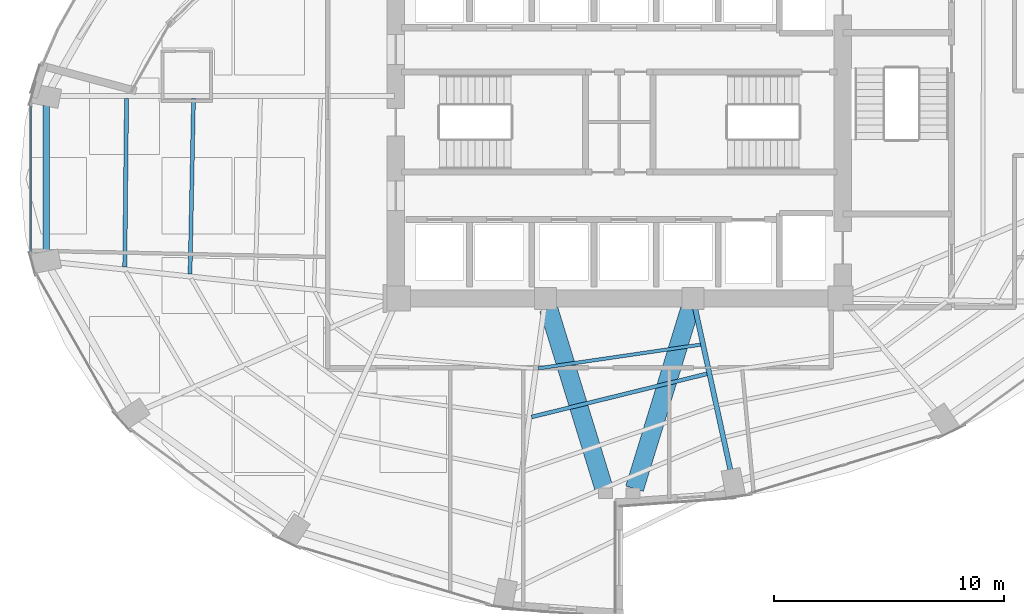
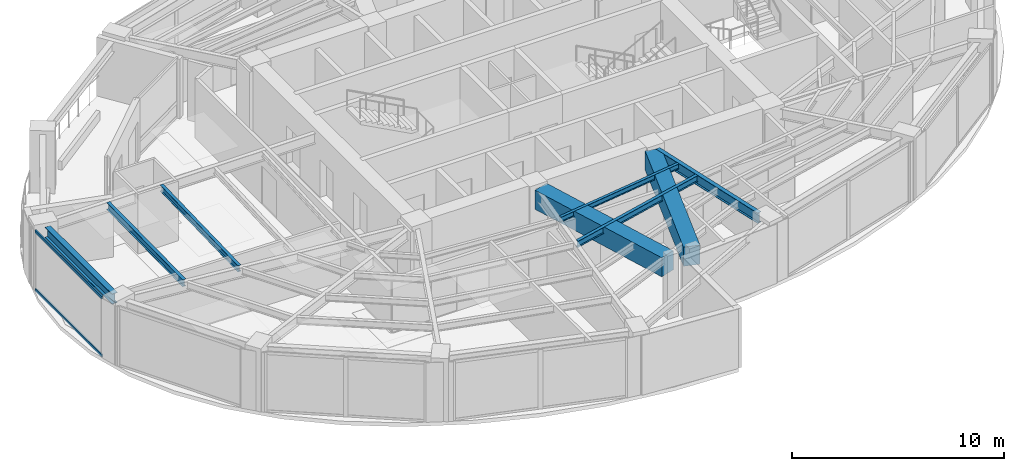
# One storey, part 7 of 24: 8 beams, 2 members, 1 element without a shape of its own.
"""IFC4 building model written with IfcOpenShell, lengths in metres."""

from ifc_helpers import new_model, si_unit, direction, frame, origin, origin_2d, place, context, subcontext, project, spatial, rectangle, hollow_rectangle, i_section, extrude, material, layer, layer_set, material_profile, profile_set, type_object, element, aggregate, save


model = new_model("IFC4")

# Units and contexts
model_context = context("Model", 3, precision=1e-05, world=origin(), true_north=direction((0.0, 1.0)))
body_context = subcontext(model_context, "Body", "Model", "MODEL_VIEW")
ifc_project = project(units=[si_unit("LENGTHUNIT", "METRE"), si_unit("AREAUNIT", "SQUARE_METRE"), si_unit("VOLUMEUNIT", "CUBIC_METRE"), si_unit("PLANEANGLEUNIT", "RADIAN"), si_unit("MASSUNIT", "GRAM", prefix="KILO")], contexts=[model_context])

# Site, building, storey
site_placement = place(None, origin())
site = spatial("IfcSite", under=ifc_project, at=site_placement, CompositionType="ELEMENT")
building_placement = place(site_placement, origin())
building = spatial("IfcBuilding", under=site, at=building_placement, Name="Lazwardi Medical Tower", CompositionType="ELEMENT")
storey_placement = place(building_placement, frame((0.0, 0.0, 110.927978515625)))
storey = spatial("IfcBuildingStorey", under=building, at=storey_placement, Name="L28", CompositionType="ELEMENT", Elevation=110.927978515625)

# Beams
ifc_material_1 = material(Name="Concrete C70/85", Category="concrete")
ifc_material_profile_1 = material_profile(ifc_material_1, rectangle(XDim=0.800048828125, YDim=1.10009765625, at=origin_2d()), Name="RC 800x1100")
ifc_profile_set_1 = profile_set([ifc_material_profile_1], Name="Concrete C70/85")
beam_type_1 = type_object("IfcBeamType", Name="BM-CB-RC1", PredefinedType="LINTEL", material=ifc_profile_set_1)
for number, where, z_axis, x_axis, name in (
    (1, (32.935302734375, 19.960205078125, 2.8779296875), (0.294073251002, -0.955782884888, 0.0), (0.955782884888, 0.294073251002, 0.0), "Core coupling lintel CB-01 PL3 L28"),
    (2, (39.064697265625, 19.960205078125, 2.8779296875), (-0.294073251002, -0.955782884888, 0.0), (0.955782884888, -0.294073251002, 0.0), "Core coupling lintel CB-01 PL4 L28"),
):
    element("IfcBeam", number, at=place(storey_placement, frame(where, z_axis=z_axis, x_axis=x_axis)), inside=storey, type_object=beam_type_1, Name=name, PredefinedType="LINTEL", context=body_context, shape_type="SweptSolid", body=[
        extrude(rectangle(XDim=0.800048828125, YDim=1.10009765625, at=origin_2d()), origin(), (0.0, 0.0, 1.0), 8.1708984375),
    ])
ifc_material_2 = material(Name="Steel S355", Category="steel")
ifc_material_profile_2 = material_profile(ifc_material_2, i_section(OverallWidth=0.300048828125, OverallDepth=0.60009765625, WebThickness=0.015380859375, FlangeThickness=0.030029296875, at=origin_2d()), Name="HEB 600")
ifc_profile_set_2 = profile_set([ifc_material_profile_2], Name="Steel S355")
beam_type_2 = type_object("IfcBeamType", Name="BM-RB-Z2", PredefinedType="BEAM", material=ifc_profile_set_2)
beam_1_placement = place(storey_placement, frame((11.13720703125, 28.77001953125, 3.1279296875), z_axis=(0.0, -1.0, 0.0), x_axis=(1.0, 0.0, 0.0)))
element("IfcBeam", 3, at=beam_1_placement, inside=storey, type_object=beam_type_2, Name="Ring beam RB-03 B12 L28", PredefinedType="BEAM", context=body_context, shape_type="SweptSolid", body=[
    extrude(i_section(OverallWidth=0.300048828125, OverallDepth=0.60009765625, WebThickness=0.015380859375, FlangeThickness=0.030029296875, at=origin_2d()), origin(), (0.0, 0.0, 1.0), 6.33984375),
])
ifc_material_profile_3 = material_profile(ifc_material_2, i_section(OverallWidth=0.219970703125, OverallDepth=0.60009765625, WebThickness=0.011962890625, FlangeThickness=0.01904296875, at=origin_2d()), Name="IPE 600")
ifc_profile_set_3 = profile_set([ifc_material_profile_3], Name="Steel S355")
beam_type_3 = type_object("IfcBeamType", Name="BM-RG-W1", PredefinedType="BEAM", material=ifc_profile_set_3)
beam_2_placement = place(storey_placement, frame((40.82177734375, 12.96923828125, 3.1279296875), z_axis=(-0.213228150441, 0.977002433907, 0.0), x_axis=(-0.977002433907, -0.213228150441, 0.0)))
element("IfcBeam", 4, at=beam_2_placement, inside=storey, type_object=beam_type_3, Name="Radial girder RG-02 R01 L28", PredefinedType="BEAM", context=body_context, shape_type="SweptSolid", body=[
    extrude(i_section(OverallWidth=0.219970703125, OverallDepth=0.60009765625, WebThickness=0.011962890625, FlangeThickness=0.01904296875, at=origin_2d()), origin(), (0.0, 0.0, 1.0), 7.145751953125),
])
ifc_material_profile_4 = material_profile(ifc_material_2, i_section(OverallWidth=0.179931640625, OverallDepth=0.39990234375, WebThickness=0.008544921875, FlangeThickness=0.013427734375, at=origin_2d()), Name="IPE 400")
ifc_profile_set_4 = profile_set([ifc_material_profile_4], Name="Steel S355")
beam_type_4 = type_object("IfcBeamType", Name="BM-SJ-01", PredefinedType="JOIST", material=ifc_profile_set_4)
beam_3_placement = place(storey_placement, frame((14.62255859375, 29.074951171875, 3.22802734375), z_axis=(-0.010484264128, -0.999945038592, 0.0), x_axis=(0.999945038592, -0.010484264128, 0.0)))
element("IfcBeam", 5, at=beam_3_placement, inside=storey, type_object=beam_type_4, Name="Secondary joist SJ-01 R1 B12 L28", PredefinedType="JOIST", context=body_context, shape_type="SweptSolid", body=[
    extrude(i_section(OverallWidth=0.179931640625, OverallDepth=0.39990234375, WebThickness=0.008544921875, FlangeThickness=0.013427734375, at=origin_2d()), origin(), (0.0, 0.0, 1.0), 7.31201171875),
])
ifc_material_profile_5 = material_profile(ifc_material_2, i_section(OverallWidth=0.169921875, OverallDepth=0.360107421875, WebThickness=0.008056640625, FlangeThickness=0.0126953125, at=origin_2d()), Name="IPE 360")
ifc_profile_set_5 = profile_set([ifc_material_profile_5], Name="Steel S355")
beam_type_5 = type_object("IfcBeamType", Name="BM-SJ-02", PredefinedType="JOIST", material=ifc_profile_set_5)
beam_4_placement = place(storey_placement, frame((17.5283203125, 29.074951171875, 3.248046875), z_axis=(-0.019785086948, -0.999804256009, 0.0), x_axis=(0.999804256009, -0.019785086948, 0.0)))
element("IfcBeam", 6, at=beam_4_placement, inside=storey, type_object=beam_type_5, Name="Secondary joist SJ-02 R2 B12 L28", PredefinedType="JOIST", context=body_context, shape_type="SweptSolid", body=[
    extrude(i_section(OverallWidth=0.169921875, OverallDepth=0.360107421875, WebThickness=0.008056640625, FlangeThickness=0.0126953125, at=origin_2d()), origin(), (0.0, 0.0, 1.0), 7.613525390625),
])
beam_5_placement = place(storey_placement, frame((32.19775390625, 15.262451171875, 3.248046875), z_axis=(0.97107737879, 0.238764998276, 0.0), x_axis=(-0.238764998276, 0.97107737879, 0.0)))
element("IfcBeam", 7, at=beam_5_placement, inside=storey, type_object=beam_type_5, Name="Secondary joist SJ-02 R3 B16 L28", PredefinedType="JOIST", context=body_context, shape_type="SweptSolid", body=[
    extrude(i_section(OverallWidth=0.169921875, OverallDepth=0.360107421875, WebThickness=0.008056640625, FlangeThickness=0.0126953125, at=origin_2d()), origin(), (0.0, 0.0, 1.0), 7.83447265625),
])
ifc_material_profile_6 = material_profile(ifc_material_2, i_section(OverallWidth=0.14990234375, OverallDepth=0.300048828125, WebThickness=0.007080078125, FlangeThickness=0.0107421875, at=origin_2d()), Name="IPE 300")
ifc_profile_set_6 = profile_set([ifc_material_profile_6], Name="Steel S355")
beam_type_6 = type_object("IfcBeamType", Name="BM-SJ-03", PredefinedType="JOIST", material=ifc_profile_set_6)
beam_6_placement = place(storey_placement, frame((32.488525390625, 17.37060546875, 3.278076171875), z_axis=(0.98949221477, 0.144586157392, 0.0), x_axis=(-0.144586157392, 0.98949221477, 0.0)))
element("IfcBeam", 8, at=beam_6_placement, inside=storey, type_object=beam_type_6, Name="Secondary joist SJ-03 R4 B16 L28", PredefinedType="JOIST", context=body_context, shape_type="SweptSolid", body=[
    extrude(i_section(OverallWidth=0.14990234375, OverallDepth=0.300048828125, WebThickness=0.007080078125, FlangeThickness=0.0107421875, at=origin_2d()), origin(), (0.0, 0.0, 1.0), 7.115478515625),
])

# Curtain wall, members
ifc_material_3 = material(Name="Anodised bronze aluminium and solar control glazing", Category="aluminium")
ifc_layer = layer(ifc_material_3, 0.195068359375)
ifc_layer_set = layer_set([ifc_layer], Name="Anodised bronze aluminium and solar control glazing")
curtain_wall_type = type_object("IfcCurtainWallType", Name="CW-SYS-03", PredefinedType="NOTDEFINED", material=ifc_layer_set)
curtain_wall_placement = place(storey_placement, origin())
curtain_wall = element("IfcCurtainWall", 9, at=curtain_wall_placement, inside=storey, type_object=curtain_wall_type, Name="L28 Unitised bronze curtain wall CW-03", PredefinedType="NOTDEFINED")
ifc_material_4 = material(Name="Anodised bronze aluminium", Category="aluminium")
ifc_material_profile_7 = material_profile(ifc_material_4, hollow_rectangle(XDim=0.074951171875, YDim=0.159912109375, WallThickness=0.00390625, at=origin_2d()), Name="ALU-TRANSOM 160x75x4")
ifc_profile_set_7 = profile_set([ifc_material_profile_7], Name="Anodised bronze aluminium")
member_type = type_object("IfcMemberType", Name="CW-TRN-01", PredefinedType="USERDEFINED", material=ifc_profile_set_7)
member_1_placement = place(storey_placement, frame((10.471923828125, 28.760009765625, 0.03759765625), z_axis=(0.0, -1.0, 0.0), x_axis=(1.0, 0.0, 0.0)))
member_1 = element("IfcMember", 10, at=member_1_placement, type_object=member_type, Name="CW-03 transom 1.1", ObjectType="TRANSOM", PredefinedType="USERDEFINED", context=body_context, shape_type="SweptSolid", body=[
    extrude(hollow_rectangle(XDim=0.074951171875, YDim=0.159912109375, WallThickness=0.00390625, at=origin_2d()), origin(), (0.0, 0.0, 1.0), 6.31982421875),
])
member_2_placement = place(storey_placement, frame((10.471923828125, 28.760009765625, 3.390625), z_axis=(0.0, -1.0, 0.0), x_axis=(1.0, 0.0, 0.0)))
member_2 = element("IfcMember", 11, at=member_2_placement, type_object=member_type, Name="CW-03 transom 1.2", ObjectType="TRANSOM", PredefinedType="USERDEFINED", context=body_context, shape_type="SweptSolid", body=[
    extrude(hollow_rectangle(XDim=0.074951171875, YDim=0.159912109375, WallThickness=0.00390625, at=origin_2d()), origin(), (0.0, 0.0, 1.0), 6.31982421875),
])
aggregate(curtain_wall, [member_1, member_2])

save(model, "model.ifc")
